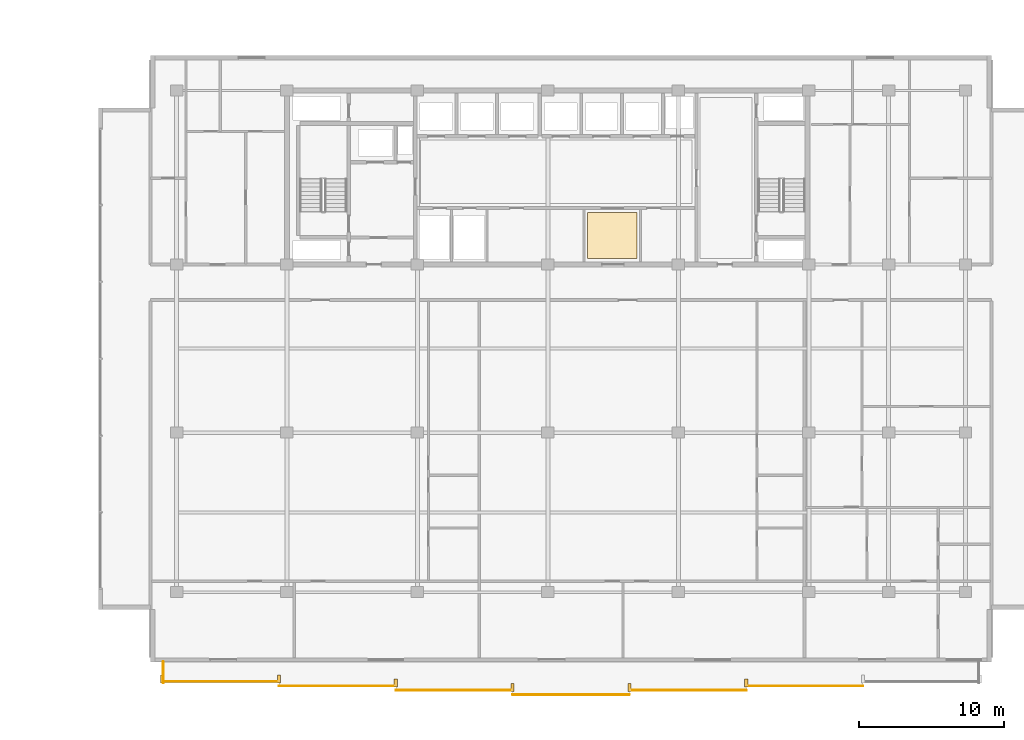
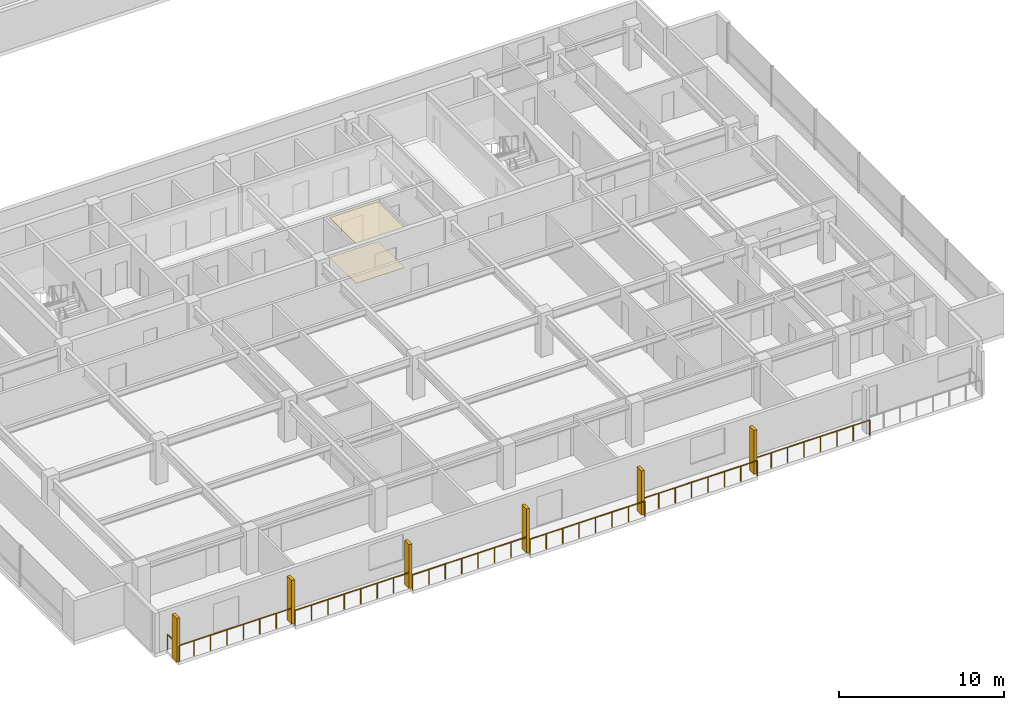
# One storey, part 34 of 38: 7 railings, 6 shading devices, 2 coverings.
"""IFC4 building model written with IfcOpenShell, lengths in metres."""

from ifc_helpers import new_model, si_unit, direction, frame, origin, origin_2d, place, context, subcontext, project, spatial, polyline, rectangle, circle, outline, extrude, material, layer, layer_set, type_object, element, save


model = new_model("IFC4")

# Units and contexts
model_context = context("Model", 3, precision=1e-05, world=origin(), true_north=direction((0.0, 1.0)))
body_context = subcontext(model_context, "Body", "Model", "MODEL_VIEW")
ifc_project = project(units=[si_unit("LENGTHUNIT", "METRE"), si_unit("AREAUNIT", "SQUARE_METRE"), si_unit("VOLUMEUNIT", "CUBIC_METRE"), si_unit("PLANEANGLEUNIT", "RADIAN"), si_unit("MASSUNIT", "GRAM", prefix="KILO")], contexts=[model_context])

# Site, building, storey
site_placement = place(None, origin())
site = spatial("IfcSite", under=ifc_project, at=site_placement, CompositionType="ELEMENT")
building_placement = place(site_placement, origin())
building = spatial("IfcBuilding", under=site, at=building_placement, Name="Korimba Cascade Residences", CompositionType="ELEMENT")
storey_placement = place(building_placement, frame((0.0, 0.0, 93.800048828125)))
storey = spatial("IfcBuildingStorey", under=building, at=storey_placement, Name="L26", CompositionType="ELEMENT", Elevation=93.800048828125)

# Coverings
ifc_material_1 = material(Name="Perforated Acoustic Gypsum Ceiling", Category="gypsum")
ifc_layer_1 = layer(ifc_material_1, 0.02490234375)
ifc_layer_set_1 = layer_set([ifc_layer_1], Name="Perforated Acoustic Gypsum Ceiling")
covering_type_1 = type_object("IfcCoveringType", Name="COV-CLG-AC", PredefinedType="CEILING", material=ifc_layer_set_1)
covering_1_placement = place(storey_placement, frame((0.0, 0.0, 2.945068359375)))
element("IfcCovering", 1, at=covering_1_placement, inside=storey, type_object=covering_type_1, Name="L26 Suspended Acoustic Ceiling L26-LT2", PredefinedType="CEILING", context=body_context, shape_type="SweptSolid", body=[
    extrude(outline(polyline([(102.85009765625, 18.800048828125), (106.25, 18.800048828125), (106.25, 22.0), (102.85009765625, 22.0), (102.85009765625, 18.800048828125)])), origin(), (0.0, 0.0, 1.0), 0.02490234375),
])
ifc_material_2 = material(Name="Honed Travertine Stone Flooring", Category="masonry")
ifc_layer_2 = layer(ifc_material_2, 0.02490234375)
ifc_layer_set_2 = layer_set([ifc_layer_2], Name="Honed Travertine Stone Flooring")
covering_type_2 = type_object("IfcCoveringType", Name="COV-FLR-STN", PredefinedType="FLOORING", material=ifc_layer_set_2)
covering_2_placement = place(storey_placement, origin())
element("IfcCovering", 2, at=covering_2_placement, inside=storey, type_object=covering_type_2, Name="L26 Honed Travertine Stone Flooring L26-LT2", PredefinedType="FLOORING", context=body_context, shape_type="SweptSolid", body=[
    extrude(outline(polyline([(102.85009765625, 18.800048828125), (106.25, 18.800048828125), (106.25, 22.0), (102.85009765625, 22.0), (102.85009765625, 18.800048828125)])), origin(), (0.0, 0.0, 1.0), 0.02490234375),
])

# Railings
ifc_material_3 = material(Name="Laminated Glass and Bronze Balustrade", Category="glass")
railing_type = type_object("IfcRailingType", Name="RLG-LOG-1150", PredefinedType="BALUSTRADE", material=ifc_material_3)
for number, where, name in (
    (3, (73.5, -10.3701171875, 0.0), "L26 Perimeter Guardrail RLG-L26-T2-LOG-01"),
    (4, (81.55712890625, -10.669921875, 0.0), "L26 Perimeter Guardrail RLG-L26-T2-LOG-02"),
    (5, (89.6142578125, -10.969970703125, 0.0), "L26 Perimeter Guardrail RLG-L26-T2-LOG-03"),
    (6, (97.67138671875, -11.27001953125, 0.0), "L26 Perimeter Guardrail RLG-L26-T2-LOG-04"),
    (7, (105.728515625, -10.969970703125, 0.0), "L26 Perimeter Guardrail RLG-L26-T2-LOG-05"),
):
    element("IfcRailing", number, at=place(storey_placement, frame(where)), inside=storey, type_object=railing_type, Name=name, PredefinedType="BALUSTRADE", context=body_context, shape_type="SweptSolid", body=[
        extrude(circle(Radius=0.02392578125, at=origin_2d()), frame((0.0, 0.0, 1.1259765625), z_axis=(1.0, 0.0, 0.0), x_axis=(0.0, 1.0, 0.0)), (0.0, 0.0, 1.0), 8.05712890625),
        extrude(circle(Radius=0.02099609375, at=origin_2d()), origin(), (0.0, 0.0, 1.0), 1.101806640625),
        extrude(circle(Radius=0.02099609375, at=origin_2d()), frame((1.151123046875, 0.0, 0.0)), (0.0, 0.0, 1.0), 1.101806640625),
        extrude(circle(Radius=0.02099609375, at=origin_2d()), frame((2.302001953125, 0.0, 0.0)), (0.0, 0.0, 1.0), 1.101806640625),
        extrude(circle(Radius=0.02099609375, at=origin_2d()), frame((3.453125, 0.0, 0.0)), (0.0, 0.0, 1.0), 1.101806640625),
        extrude(circle(Radius=0.02099609375, at=origin_2d()), frame((4.60400390625, 0.0, 0.0)), (0.0, 0.0, 1.0), 1.101806640625),
        extrude(circle(Radius=0.02099609375, at=origin_2d()), frame((5.755126953125, 0.0, 0.0)), (0.0, 0.0, 1.0), 1.101806640625),
        extrude(circle(Radius=0.02099609375, at=origin_2d()), frame((6.906005859375, 0.0, 0.0)), (0.0, 0.0, 1.0), 1.101806640625),
        extrude(circle(Radius=0.02099609375, at=origin_2d()), frame((8.05712890625, 0.0, 0.0)), (0.0, 0.0, 1.0), 1.101806640625),
    ])
railing_1_placement = place(storey_placement, frame((113.78564453125, -10.669921875, 0.0)))
element("IfcRailing", 8, at=railing_1_placement, inside=storey, type_object=railing_type, Name="L26 Perimeter Guardrail RLG-L26-T2-LOG-06", PredefinedType="BALUSTRADE", context=body_context, shape_type="SweptSolid", body=[
    extrude(circle(Radius=0.02392578125, at=origin_2d()), frame((0.0, 0.0, 1.1259765625), z_axis=(1.0, 0.0, 0.0), x_axis=(0.0, 1.0, 0.0)), (0.0, 0.0, 1.0), 8.057373046875),
    extrude(circle(Radius=0.02099609375, at=origin_2d()), origin(), (0.0, 0.0, 1.0), 1.101806640625),
    extrude(circle(Radius=0.02099609375, at=origin_2d()), frame((1.151123046875, 0.0, 0.0)), (0.0, 0.0, 1.0), 1.101806640625),
    extrude(circle(Radius=0.02099609375, at=origin_2d()), frame((2.302001953125, 0.0, 0.0)), (0.0, 0.0, 1.0), 1.101806640625),
    extrude(circle(Radius=0.02099609375, at=origin_2d()), frame((3.453125, 0.0, 0.0)), (0.0, 0.0, 1.0), 1.101806640625),
    extrude(circle(Radius=0.02099609375, at=origin_2d()), frame((4.604248046875, 0.0, 0.0)), (0.0, 0.0, 1.0), 1.101806640625),
    extrude(circle(Radius=0.02099609375, at=origin_2d()), frame((5.75537109375, 0.0, 0.0)), (0.0, 0.0, 1.0), 1.101806640625),
    extrude(circle(Radius=0.02099609375, at=origin_2d()), frame((6.90625, 0.0, 0.0)), (0.0, 0.0, 1.0), 1.101806640625),
    extrude(circle(Radius=0.02099609375, at=origin_2d()), frame((8.057373046875, 0.0, 0.0)), (0.0, 0.0, 1.0), 1.101806640625),
])
railing_2_placement = place(storey_placement, frame((73.580078125, -9.0, 0.0)))
element("IfcRailing", 9, at=railing_2_placement, inside=storey, type_object=railing_type, Name="L26 Perimeter Guardrail RLG-L26-T2-LOG-09", PredefinedType="BALUSTRADE", context=body_context, shape_type="SweptSolid", body=[
    extrude(circle(Radius=0.02392578125, at=origin_2d()), frame((0.0, 0.0, 1.1259765625), z_axis=(0.0, -1.0, 0.0), x_axis=(1.0, 0.0, 0.0)), (0.0, 0.0, 1.0), 1.449951171875),
    extrude(circle(Radius=0.02099609375, at=origin_2d()), origin(), (0.0, 0.0, 1.0), 1.101806640625),
    extrude(circle(Radius=0.02099609375, at=origin_2d()), frame((0.0, -0.72509765625, 0.0)), (0.0, 0.0, 1.0), 1.101806640625),
    extrude(circle(Radius=0.02099609375, at=origin_2d()), frame((0.0, -1.449951171875, 0.0)), (0.0, 0.0, 1.0), 1.101806640625),
])

# Shading devices
ifc_material_4 = material(Name="Honed Sandstone Precast Fin", Category="masonry")
shading_device_type = type_object("IfcShadingDeviceType", Name="SHD-FIN-550", PredefinedType="USERDEFINED", material=ifc_material_4)
for number, where, z_axis, x_axis, name in (
    (10, (73.5, -10.175048828125, 0.0), (0.0, 0.0, 1.0), (1.0, 0.0, 0.0), "L26 T2 Warm-Stone Loggia Fin 1"),
    (11, (81.55712890625, -10.175048828125, 0.0), (0.0, 0.0, 1.0), (1.0, 0.0, 0.0), "L26 T2 Warm-Stone Loggia Fin 2"),
    (12, (89.6142578125, -10.47509765625, 0.0), (0.0, 0.0, 1.0), (1.0, 0.0, 0.0), "L26 T2 Warm-Stone Loggia Fin 3"),
    (13, (97.67138671875, -10.77490234375, 0.0), (0.0, 0.0, 1.0), (1.0, 0.0, 0.0), "L26 T2 Warm-Stone Loggia Fin 4"),
    (14, (105.728515625, -10.77490234375, 0.0), (0.0, 0.0, 1.0), (1.0, 0.0, 0.0), "L26 T2 Warm-Stone Loggia Fin 5"),
    (15, (113.78564453125, -10.47509765625, 0.0), (0.0, 0.0, 1.0), (1.0, 0.0, 0.0), "L26 T2 Warm-Stone Loggia Fin 6"),
):
    element("IfcShadingDevice", number, at=place(storey_placement, frame(where, z_axis=z_axis, x_axis=x_axis)), inside=storey, type_object=shading_device_type, Name=name, ObjectType="FIN", PredefinedType="USERDEFINED", context=body_context, shape_type="SweptSolid", body=[
        extrude(rectangle(XDim=0.219970703125, YDim=0.550048828125, at=origin_2d()), origin(), (0.0, 0.0, 1.0), 3.25),
    ])

save(model, "model.ifc")
